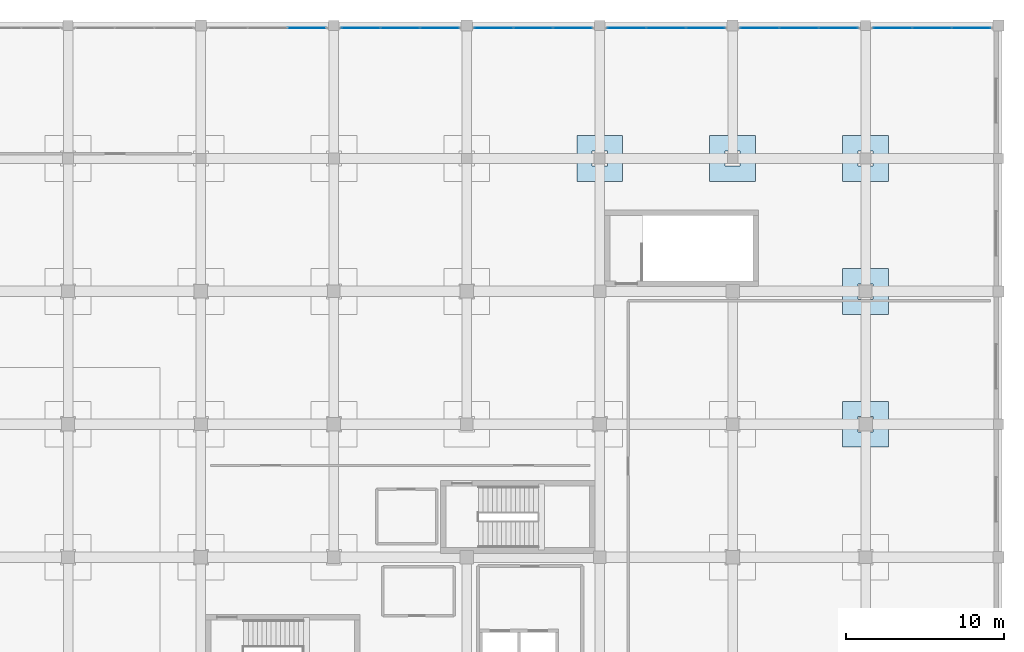
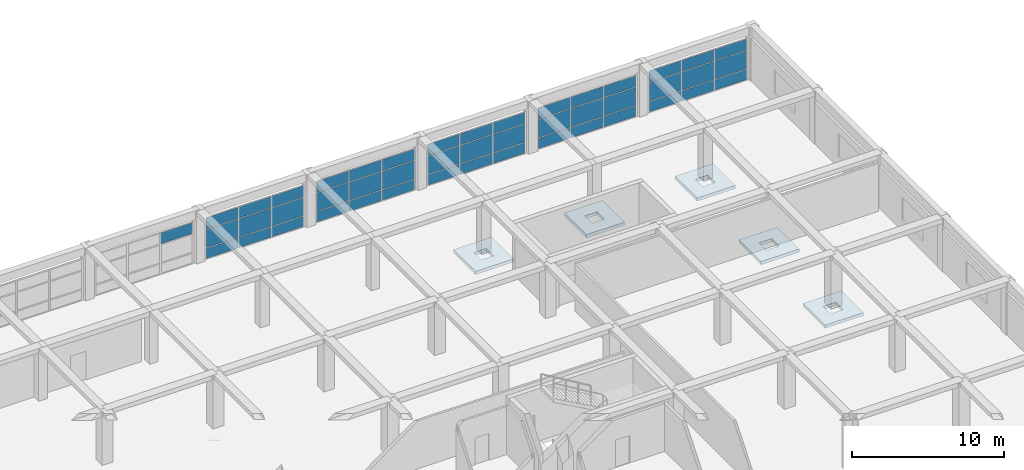
# One storey, part 72 of 85: 46 plates, 5 slabs, 6 elements without a shape of their own.
"""IFC4 building model written with IfcOpenShell, lengths in metres."""

from ifc_helpers import new_model, si_unit, direction, frame, origin, origin_2d, place, context, subcontext, project, spatial, polyline, rectangle, outline, extrude, material, layer, layer_set, type_object, element, aggregate, save


model = new_model("IFC4")

# Units and contexts
model_context = context("Model", 3, precision=1e-05, world=origin(), true_north=direction((0.0, 1.0)))
body_context = subcontext(model_context, "Body", "Model", "MODEL_VIEW")
ifc_project = project(units=[si_unit("LENGTHUNIT", "METRE"), si_unit("AREAUNIT", "SQUARE_METRE"), si_unit("VOLUMEUNIT", "CUBIC_METRE"), si_unit("PLANEANGLEUNIT", "RADIAN"), si_unit("MASSUNIT", "GRAM", prefix="KILO")], contexts=[model_context])

# Site, building, storey
site_placement = place(None, origin())
site = spatial("IfcSite", under=ifc_project, at=site_placement, CompositionType="ELEMENT")
building_placement = place(site_placement, origin())
building = spatial("IfcBuilding", under=site, at=building_placement, Name="Almacenes y Pasaje Nevantli", CompositionType="ELEMENT")
storey_placement = place(building_placement, frame((0.0, 0.0, 22.199951171875)))
storey = spatial("IfcBuildingStorey", under=building, at=storey_placement, Name="L05", CompositionType="ELEMENT", Elevation=22.199951171875)

# Curtain wall, plate
ifc_material_1 = material(Name="Thermally Broken Aluminium and Low-E Glass", Category="aluminium")
curtain_wall_type = type_object("IfcCurtainWallType", Name="CW-UNIT-PODIUM", PredefinedType="USERDEFINED", material=ifc_material_1)
curtain_wall_1_placement = place(storey_placement, origin())
curtain_wall_1 = element("IfcCurtainWall", 1, at=curtain_wall_1_placement, inside=storey, type_object=curtain_wall_type, Name="L05 Sky-Lobby North Curtain Wall Bay 15", ObjectType="UNITIZED CURTAIN WALL", PredefinedType="USERDEFINED")
ifc_material_2 = material(Name="Low-E Double Glazed Insulated Unit", Category="glass")
ifc_layer_1 = layer(ifc_material_2, 0.031982421875)
ifc_layer_set_1 = layer_set([ifc_layer_1], Name="Low-E Double Glazed Insulated Unit")
plate_type = type_object("IfcPlateType", Name="PL-IGU-32", PredefinedType="CURTAIN_PANEL", material=ifc_layer_set_1)
plate_1_placement = place(storey_placement, frame((124.2861328125, 117.449951171875, 2.427734375), z_axis=(0.0, 0.0, 1.0), x_axis=(1.0, 0.0, 0.0)))
plate_1 = element("IfcPlate", 2, at=plate_1_placement, type_object=plate_type, Name="CW-L05-086 panel 3.3", PredefinedType="CURTAIN_PANEL", context=body_context, shape_type="SweptSolid", body=[
    extrude(rectangle(XDim=2.41748046875, YDim=0.031982421875, at=origin_2d()), origin(), (0.0, 0.0, 1.0), 0.887451171875),
])
aggregate(curtain_wall_1, [plate_1])

# Curtain wall, plates
curtain_wall_2_placement = place(storey_placement, origin())
curtain_wall_2 = element("IfcCurtainWall", 3, at=curtain_wall_2_placement, inside=storey, type_object=curtain_wall_type, Name="L05 Sky-Lobby North Curtain Wall Bay 16", ObjectType="UNITIZED CURTAIN WALL", PredefinedType="USERDEFINED")
plate_2_placement = place(storey_placement, frame((127.7138671875, 117.449951171875, 0.05517578125), z_axis=(0.0, 0.0, 1.0), x_axis=(1.0, 0.0, 0.0)))
plate_2 = element("IfcPlate", 4, at=plate_2_placement, type_object=plate_type, Name="CW-L05-088 panel 1.1", PredefinedType="CURTAIN_PANEL", context=body_context, shape_type="SweptSolid", body=[
    extrude(rectangle(XDim=2.41748046875, YDim=0.031982421875, at=origin_2d()), origin(), (0.0, 0.0, 1.0), 0.8173828125),
])
plate_3_placement = place(storey_placement, frame((127.7138671875, 117.449951171875, 0.927734375), z_axis=(0.0, 0.0, 1.0), x_axis=(1.0, 0.0, 0.0)))
plate_3 = element("IfcPlate", 5, at=plate_3_placement, type_object=plate_type, Name="CW-L05-088 panel 1.2", PredefinedType="CURTAIN_PANEL", context=body_context, shape_type="SweptSolid", body=[
    extrude(rectangle(XDim=2.41748046875, YDim=0.031982421875, at=origin_2d()), origin(), (0.0, 0.0, 1.0), 1.445068359375),
])
plate_4_placement = place(storey_placement, frame((127.7138671875, 117.449951171875, 2.427734375), z_axis=(0.0, 0.0, 1.0), x_axis=(1.0, 0.0, 0.0)))
plate_4 = element("IfcPlate", 6, at=plate_4_placement, type_object=plate_type, Name="CW-L05-088 panel 1.3", PredefinedType="CURTAIN_PANEL", context=body_context, shape_type="SweptSolid", body=[
    extrude(rectangle(XDim=2.41748046875, YDim=0.031982421875, at=origin_2d()), origin(), (0.0, 0.0, 1.0), 0.887451171875),
])
plate_5_placement = place(storey_placement, frame((130.199951171875, 117.449951171875, 0.05517578125), z_axis=(0.0, 0.0, 1.0), x_axis=(1.0, 0.0, 0.0)))
plate_5 = element("IfcPlate", 7, at=plate_5_placement, type_object=plate_type, Name="CW-L05-088 panel 2.1", PredefinedType="CURTAIN_PANEL", context=body_context, shape_type="SweptSolid", body=[
    extrude(rectangle(XDim=2.445068359375, YDim=0.031982421875, at=origin_2d()), origin(), (0.0, 0.0, 1.0), 0.8173828125),
])
plate_6_placement = place(storey_placement, frame((130.199951171875, 117.449951171875, 0.927734375), z_axis=(0.0, 0.0, 1.0), x_axis=(1.0, 0.0, 0.0)))
plate_6 = element("IfcPlate", 8, at=plate_6_placement, type_object=plate_type, Name="CW-L05-088 panel 2.2", PredefinedType="CURTAIN_PANEL", context=body_context, shape_type="SweptSolid", body=[
    extrude(rectangle(XDim=2.445068359375, YDim=0.031982421875, at=origin_2d()), origin(), (0.0, 0.0, 1.0), 1.445068359375),
])
plate_7_placement = place(storey_placement, frame((130.199951171875, 117.449951171875, 2.427734375), z_axis=(0.0, 0.0, 1.0), x_axis=(1.0, 0.0, 0.0)))
plate_7 = element("IfcPlate", 9, at=plate_7_placement, type_object=plate_type, Name="CW-L05-088 panel 2.3", PredefinedType="CURTAIN_PANEL", context=body_context, shape_type="SweptSolid", body=[
    extrude(rectangle(XDim=2.445068359375, YDim=0.031982421875, at=origin_2d()), origin(), (0.0, 0.0, 1.0), 0.887451171875),
])
plate_8_placement = place(storey_placement, frame((132.686279296875, 117.449951171875, 0.05517578125), z_axis=(0.0, 0.0, 1.0), x_axis=(1.0, 0.0, 0.0)))
plate_8 = element("IfcPlate", 10, at=plate_8_placement, type_object=plate_type, Name="CW-L05-088 panel 3.1", PredefinedType="CURTAIN_PANEL", context=body_context, shape_type="SweptSolid", body=[
    extrude(rectangle(XDim=2.41748046875, YDim=0.031982421875, at=origin_2d()), origin(), (0.0, 0.0, 1.0), 0.8173828125),
])
plate_9_placement = place(storey_placement, frame((132.686279296875, 117.449951171875, 0.927734375), z_axis=(0.0, 0.0, 1.0), x_axis=(1.0, 0.0, 0.0)))
plate_9 = element("IfcPlate", 11, at=plate_9_placement, type_object=plate_type, Name="CW-L05-088 panel 3.2", PredefinedType="CURTAIN_PANEL", context=body_context, shape_type="SweptSolid", body=[
    extrude(rectangle(XDim=2.41748046875, YDim=0.031982421875, at=origin_2d()), origin(), (0.0, 0.0, 1.0), 1.445068359375),
])
plate_10_placement = place(storey_placement, frame((132.686279296875, 117.449951171875, 2.427734375), z_axis=(0.0, 0.0, 1.0), x_axis=(1.0, 0.0, 0.0)))
plate_10 = element("IfcPlate", 12, at=plate_10_placement, type_object=plate_type, Name="CW-L05-088 panel 3.3", PredefinedType="CURTAIN_PANEL", context=body_context, shape_type="SweptSolid", body=[
    extrude(rectangle(XDim=2.41748046875, YDim=0.031982421875, at=origin_2d()), origin(), (0.0, 0.0, 1.0), 0.887451171875),
])
aggregate(curtain_wall_2, [plate_2, plate_3, plate_4, plate_5, plate_6, plate_7, plate_8, plate_9, plate_10])

curtain_wall_3_placement = place(storey_placement, origin())
curtain_wall_3 = element("IfcCurtainWall", 13, at=curtain_wall_3_placement, inside=storey, type_object=curtain_wall_type, Name="L05 Sky-Lobby North Curtain Wall Bay 17", ObjectType="UNITIZED CURTAIN WALL", PredefinedType="USERDEFINED")
plate_11_placement = place(storey_placement, frame((136.11376953125, 117.449951171875, 0.05517578125), z_axis=(0.0, 0.0, 1.0), x_axis=(1.0, 0.0, 0.0)))
plate_11 = element("IfcPlate", 14, at=plate_11_placement, type_object=plate_type, Name="CW-L05-090 panel 1.1", PredefinedType="CURTAIN_PANEL", context=body_context, shape_type="SweptSolid", body=[
    extrude(rectangle(XDim=2.41748046875, YDim=0.031982421875, at=origin_2d()), origin(), (0.0, 0.0, 1.0), 0.8173828125),
])
plate_12_placement = place(storey_placement, frame((136.11376953125, 117.449951171875, 0.927734375), z_axis=(0.0, 0.0, 1.0), x_axis=(1.0, 0.0, 0.0)))
plate_12 = element("IfcPlate", 15, at=plate_12_placement, type_object=plate_type, Name="CW-L05-090 panel 1.2", PredefinedType="CURTAIN_PANEL", context=body_context, shape_type="SweptSolid", body=[
    extrude(rectangle(XDim=2.41748046875, YDim=0.031982421875, at=origin_2d()), origin(), (0.0, 0.0, 1.0), 1.445068359375),
])
plate_13_placement = place(storey_placement, frame((136.11376953125, 117.449951171875, 2.427734375), z_axis=(0.0, 0.0, 1.0), x_axis=(1.0, 0.0, 0.0)))
plate_13 = element("IfcPlate", 16, at=plate_13_placement, type_object=plate_type, Name="CW-L05-090 panel 1.3", PredefinedType="CURTAIN_PANEL", context=body_context, shape_type="SweptSolid", body=[
    extrude(rectangle(XDim=2.41748046875, YDim=0.031982421875, at=origin_2d()), origin(), (0.0, 0.0, 1.0), 0.887451171875),
])
plate_14_placement = place(storey_placement, frame((138.60009765625, 117.449951171875, 0.05517578125), z_axis=(0.0, 0.0, 1.0), x_axis=(1.0, 0.0, 0.0)))
plate_14 = element("IfcPlate", 17, at=plate_14_placement, type_object=plate_type, Name="CW-L05-090 panel 2.1", PredefinedType="CURTAIN_PANEL", context=body_context, shape_type="SweptSolid", body=[
    extrude(rectangle(XDim=2.445068359375, YDim=0.031982421875, at=origin_2d()), origin(), (0.0, 0.0, 1.0), 0.8173828125),
])
plate_15_placement = place(storey_placement, frame((138.60009765625, 117.449951171875, 0.927734375), z_axis=(0.0, 0.0, 1.0), x_axis=(1.0, 0.0, 0.0)))
plate_15 = element("IfcPlate", 18, at=plate_15_placement, type_object=plate_type, Name="CW-L05-090 panel 2.2", PredefinedType="CURTAIN_PANEL", context=body_context, shape_type="SweptSolid", body=[
    extrude(rectangle(XDim=2.445068359375, YDim=0.031982421875, at=origin_2d()), origin(), (0.0, 0.0, 1.0), 1.445068359375),
])
plate_16_placement = place(storey_placement, frame((138.60009765625, 117.449951171875, 2.427734375), z_axis=(0.0, 0.0, 1.0), x_axis=(1.0, 0.0, 0.0)))
plate_16 = element("IfcPlate", 19, at=plate_16_placement, type_object=plate_type, Name="CW-L05-090 panel 2.3", PredefinedType="CURTAIN_PANEL", context=body_context, shape_type="SweptSolid", body=[
    extrude(rectangle(XDim=2.445068359375, YDim=0.031982421875, at=origin_2d()), origin(), (0.0, 0.0, 1.0), 0.887451171875),
])
plate_17_placement = place(storey_placement, frame((141.086181640625, 117.449951171875, 0.05517578125), z_axis=(0.0, 0.0, 1.0), x_axis=(1.0, 0.0, 0.0)))
plate_17 = element("IfcPlate", 20, at=plate_17_placement, type_object=plate_type, Name="CW-L05-090 panel 3.1", PredefinedType="CURTAIN_PANEL", context=body_context, shape_type="SweptSolid", body=[
    extrude(rectangle(XDim=2.41748046875, YDim=0.031982421875, at=origin_2d()), origin(), (0.0, 0.0, 1.0), 0.8173828125),
])
plate_18_placement = place(storey_placement, frame((141.086181640625, 117.449951171875, 0.927734375), z_axis=(0.0, 0.0, 1.0), x_axis=(1.0, 0.0, 0.0)))
plate_18 = element("IfcPlate", 21, at=plate_18_placement, type_object=plate_type, Name="CW-L05-090 panel 3.2", PredefinedType="CURTAIN_PANEL", context=body_context, shape_type="SweptSolid", body=[
    extrude(rectangle(XDim=2.41748046875, YDim=0.031982421875, at=origin_2d()), origin(), (0.0, 0.0, 1.0), 1.445068359375),
])
plate_19_placement = place(storey_placement, frame((141.086181640625, 117.449951171875, 2.427734375), z_axis=(0.0, 0.0, 1.0), x_axis=(1.0, 0.0, 0.0)))
plate_19 = element("IfcPlate", 22, at=plate_19_placement, type_object=plate_type, Name="CW-L05-090 panel 3.3", PredefinedType="CURTAIN_PANEL", context=body_context, shape_type="SweptSolid", body=[
    extrude(rectangle(XDim=2.41748046875, YDim=0.031982421875, at=origin_2d()), origin(), (0.0, 0.0, 1.0), 0.887451171875),
])
aggregate(curtain_wall_3, [plate_11, plate_12, plate_13, plate_14, plate_15, plate_16, plate_17, plate_18, plate_19])

curtain_wall_4_placement = place(storey_placement, origin())
curtain_wall_4 = element("IfcCurtainWall", 23, at=curtain_wall_4_placement, inside=storey, type_object=curtain_wall_type, Name="L05 Sky-Lobby North Curtain Wall Bay 18", ObjectType="UNITIZED CURTAIN WALL", PredefinedType="USERDEFINED")
plate_20_placement = place(storey_placement, frame((144.513671875, 117.449951171875, 0.05517578125), z_axis=(0.0, 0.0, 1.0), x_axis=(1.0, 0.0, 0.0)))
plate_20 = element("IfcPlate", 24, at=plate_20_placement, type_object=plate_type, Name="CW-L05-091 panel 1.1", PredefinedType="CURTAIN_PANEL", context=body_context, shape_type="SweptSolid", body=[
    extrude(rectangle(XDim=2.41748046875, YDim=0.031982421875, at=origin_2d()), origin(), (0.0, 0.0, 1.0), 0.8173828125),
])
plate_21_placement = place(storey_placement, frame((144.513671875, 117.449951171875, 0.927734375), z_axis=(0.0, 0.0, 1.0), x_axis=(1.0, 0.0, 0.0)))
plate_21 = element("IfcPlate", 25, at=plate_21_placement, type_object=plate_type, Name="CW-L05-091 panel 1.2", PredefinedType="CURTAIN_PANEL", context=body_context, shape_type="SweptSolid", body=[
    extrude(rectangle(XDim=2.41748046875, YDim=0.031982421875, at=origin_2d()), origin(), (0.0, 0.0, 1.0), 1.445068359375),
])
plate_22_placement = place(storey_placement, frame((144.513671875, 117.449951171875, 2.427734375), z_axis=(0.0, 0.0, 1.0), x_axis=(1.0, 0.0, 0.0)))
plate_22 = element("IfcPlate", 26, at=plate_22_placement, type_object=plate_type, Name="CW-L05-091 panel 1.3", PredefinedType="CURTAIN_PANEL", context=body_context, shape_type="SweptSolid", body=[
    extrude(rectangle(XDim=2.41748046875, YDim=0.031982421875, at=origin_2d()), origin(), (0.0, 0.0, 1.0), 0.887451171875),
])
plate_23_placement = place(storey_placement, frame((147.0, 117.449951171875, 0.05517578125), z_axis=(0.0, 0.0, 1.0), x_axis=(1.0, 0.0, 0.0)))
plate_23 = element("IfcPlate", 27, at=plate_23_placement, type_object=plate_type, Name="CW-L05-091 panel 2.1", PredefinedType="CURTAIN_PANEL", context=body_context, shape_type="SweptSolid", body=[
    extrude(rectangle(XDim=2.445068359375, YDim=0.031982421875, at=origin_2d()), origin(), (0.0, 0.0, 1.0), 0.8173828125),
])
plate_24_placement = place(storey_placement, frame((147.0, 117.449951171875, 0.927734375), z_axis=(0.0, 0.0, 1.0), x_axis=(1.0, 0.0, 0.0)))
plate_24 = element("IfcPlate", 28, at=plate_24_placement, type_object=plate_type, Name="CW-L05-091 panel 2.2", PredefinedType="CURTAIN_PANEL", context=body_context, shape_type="SweptSolid", body=[
    extrude(rectangle(XDim=2.445068359375, YDim=0.031982421875, at=origin_2d()), origin(), (0.0, 0.0, 1.0), 1.445068359375),
])
plate_25_placement = place(storey_placement, frame((147.0, 117.449951171875, 2.427734375), z_axis=(0.0, 0.0, 1.0), x_axis=(1.0, 0.0, 0.0)))
plate_25 = element("IfcPlate", 29, at=plate_25_placement, type_object=plate_type, Name="CW-L05-091 panel 2.3", PredefinedType="CURTAIN_PANEL", context=body_context, shape_type="SweptSolid", body=[
    extrude(rectangle(XDim=2.445068359375, YDim=0.031982421875, at=origin_2d()), origin(), (0.0, 0.0, 1.0), 0.887451171875),
])
plate_26_placement = place(storey_placement, frame((149.486328125, 117.449951171875, 0.05517578125), z_axis=(0.0, 0.0, 1.0), x_axis=(1.0, 0.0, 0.0)))
plate_26 = element("IfcPlate", 30, at=plate_26_placement, type_object=plate_type, Name="CW-L05-091 panel 3.1", PredefinedType="CURTAIN_PANEL", context=body_context, shape_type="SweptSolid", body=[
    extrude(rectangle(XDim=2.41748046875, YDim=0.031982421875, at=origin_2d()), origin(), (0.0, 0.0, 1.0), 0.8173828125),
])
plate_27_placement = place(storey_placement, frame((149.486328125, 117.449951171875, 0.927734375), z_axis=(0.0, 0.0, 1.0), x_axis=(1.0, 0.0, 0.0)))
plate_27 = element("IfcPlate", 31, at=plate_27_placement, type_object=plate_type, Name="CW-L05-091 panel 3.2", PredefinedType="CURTAIN_PANEL", context=body_context, shape_type="SweptSolid", body=[
    extrude(rectangle(XDim=2.41748046875, YDim=0.031982421875, at=origin_2d()), origin(), (0.0, 0.0, 1.0), 1.445068359375),
])
plate_28_placement = place(storey_placement, frame((149.486328125, 117.449951171875, 2.427734375), z_axis=(0.0, 0.0, 1.0), x_axis=(1.0, 0.0, 0.0)))
plate_28 = element("IfcPlate", 32, at=plate_28_placement, type_object=plate_type, Name="CW-L05-091 panel 3.3", PredefinedType="CURTAIN_PANEL", context=body_context, shape_type="SweptSolid", body=[
    extrude(rectangle(XDim=2.41748046875, YDim=0.031982421875, at=origin_2d()), origin(), (0.0, 0.0, 1.0), 0.887451171875),
])
aggregate(curtain_wall_4, [plate_20, plate_21, plate_22, plate_23, plate_24, plate_25, plate_26, plate_27, plate_28])

curtain_wall_5_placement = place(storey_placement, origin())
curtain_wall_5 = element("IfcCurtainWall", 33, at=curtain_wall_5_placement, inside=storey, type_object=curtain_wall_type, Name="L05 Sky-Lobby North Curtain Wall Bay 19", ObjectType="UNITIZED CURTAIN WALL", PredefinedType="USERDEFINED")
plate_29_placement = place(storey_placement, frame((152.913818359375, 117.449951171875, 0.05517578125), z_axis=(0.0, 0.0, 1.0), x_axis=(1.0, 0.0, 0.0)))
plate_29 = element("IfcPlate", 34, at=plate_29_placement, type_object=plate_type, Name="CW-L05-092 panel 1.1", PredefinedType="CURTAIN_PANEL", context=body_context, shape_type="SweptSolid", body=[
    extrude(rectangle(XDim=2.41748046875, YDim=0.031982421875, at=origin_2d()), origin(), (0.0, 0.0, 1.0), 0.8173828125),
])
plate_30_placement = place(storey_placement, frame((152.913818359375, 117.449951171875, 0.927734375), z_axis=(0.0, 0.0, 1.0), x_axis=(1.0, 0.0, 0.0)))
plate_30 = element("IfcPlate", 35, at=plate_30_placement, type_object=plate_type, Name="CW-L05-092 panel 1.2", PredefinedType="CURTAIN_PANEL", context=body_context, shape_type="SweptSolid", body=[
    extrude(rectangle(XDim=2.41748046875, YDim=0.031982421875, at=origin_2d()), origin(), (0.0, 0.0, 1.0), 1.445068359375),
])
plate_31_placement = place(storey_placement, frame((152.913818359375, 117.449951171875, 2.427734375), z_axis=(0.0, 0.0, 1.0), x_axis=(1.0, 0.0, 0.0)))
plate_31 = element("IfcPlate", 36, at=plate_31_placement, type_object=plate_type, Name="CW-L05-092 panel 1.3", PredefinedType="CURTAIN_PANEL", context=body_context, shape_type="SweptSolid", body=[
    extrude(rectangle(XDim=2.41748046875, YDim=0.031982421875, at=origin_2d()), origin(), (0.0, 0.0, 1.0), 0.887451171875),
])
plate_32_placement = place(storey_placement, frame((155.39990234375, 117.449951171875, 0.05517578125), z_axis=(0.0, 0.0, 1.0), x_axis=(1.0, 0.0, 0.0)))
plate_32 = element("IfcPlate", 37, at=plate_32_placement, type_object=plate_type, Name="CW-L05-092 panel 2.1", PredefinedType="CURTAIN_PANEL", context=body_context, shape_type="SweptSolid", body=[
    extrude(rectangle(XDim=2.445068359375, YDim=0.031982421875, at=origin_2d()), origin(), (0.0, 0.0, 1.0), 0.8173828125),
])
plate_33_placement = place(storey_placement, frame((155.39990234375, 117.449951171875, 0.927734375), z_axis=(0.0, 0.0, 1.0), x_axis=(1.0, 0.0, 0.0)))
plate_33 = element("IfcPlate", 38, at=plate_33_placement, type_object=plate_type, Name="CW-L05-092 panel 2.2", PredefinedType="CURTAIN_PANEL", context=body_context, shape_type="SweptSolid", body=[
    extrude(rectangle(XDim=2.445068359375, YDim=0.031982421875, at=origin_2d()), origin(), (0.0, 0.0, 1.0), 1.445068359375),
])
plate_34_placement = place(storey_placement, frame((155.39990234375, 117.449951171875, 2.427734375), z_axis=(0.0, 0.0, 1.0), x_axis=(1.0, 0.0, 0.0)))
plate_34 = element("IfcPlate", 39, at=plate_34_placement, type_object=plate_type, Name="CW-L05-092 panel 2.3", PredefinedType="CURTAIN_PANEL", context=body_context, shape_type="SweptSolid", body=[
    extrude(rectangle(XDim=2.445068359375, YDim=0.031982421875, at=origin_2d()), origin(), (0.0, 0.0, 1.0), 0.887451171875),
])
plate_35_placement = place(storey_placement, frame((157.88623046875, 117.449951171875, 0.05517578125), z_axis=(0.0, 0.0, 1.0), x_axis=(1.0, 0.0, 0.0)))
plate_35 = element("IfcPlate", 40, at=plate_35_placement, type_object=plate_type, Name="CW-L05-092 panel 3.1", PredefinedType="CURTAIN_PANEL", context=body_context, shape_type="SweptSolid", body=[
    extrude(rectangle(XDim=2.41748046875, YDim=0.031982421875, at=origin_2d()), origin(), (0.0, 0.0, 1.0), 0.8173828125),
])
plate_36_placement = place(storey_placement, frame((157.88623046875, 117.449951171875, 0.927734375), z_axis=(0.0, 0.0, 1.0), x_axis=(1.0, 0.0, 0.0)))
plate_36 = element("IfcPlate", 41, at=plate_36_placement, type_object=plate_type, Name="CW-L05-092 panel 3.2", PredefinedType="CURTAIN_PANEL", context=body_context, shape_type="SweptSolid", body=[
    extrude(rectangle(XDim=2.41748046875, YDim=0.031982421875, at=origin_2d()), origin(), (0.0, 0.0, 1.0), 1.445068359375),
])
plate_37_placement = place(storey_placement, frame((157.88623046875, 117.449951171875, 2.427734375), z_axis=(0.0, 0.0, 1.0), x_axis=(1.0, 0.0, 0.0)))
plate_37 = element("IfcPlate", 42, at=plate_37_placement, type_object=plate_type, Name="CW-L05-092 panel 3.3", PredefinedType="CURTAIN_PANEL", context=body_context, shape_type="SweptSolid", body=[
    extrude(rectangle(XDim=2.41748046875, YDim=0.031982421875, at=origin_2d()), origin(), (0.0, 0.0, 1.0), 0.887451171875),
])
aggregate(curtain_wall_5, [plate_29, plate_30, plate_31, plate_32, plate_33, plate_34, plate_35, plate_36, plate_37])

curtain_wall_6_placement = place(storey_placement, origin())
curtain_wall_6 = element("IfcCurtainWall", 43, at=curtain_wall_6_placement, inside=storey, type_object=curtain_wall_type, Name="L05 Sky-Lobby North Curtain Wall Bay 20", ObjectType="UNITIZED CURTAIN WALL", PredefinedType="USERDEFINED")
plate_38_placement = place(storey_placement, frame((161.313720703125, 117.449951171875, 0.05517578125), z_axis=(0.0, 0.0, 1.0), x_axis=(1.0, 0.0, 0.0)))
plate_38 = element("IfcPlate", 44, at=plate_38_placement, type_object=plate_type, Name="CW-L05-094 panel 1.1", PredefinedType="CURTAIN_PANEL", context=body_context, shape_type="SweptSolid", body=[
    extrude(rectangle(XDim=2.41748046875, YDim=0.031982421875, at=origin_2d()), origin(), (0.0, 0.0, 1.0), 0.8173828125),
])
plate_39_placement = place(storey_placement, frame((161.313720703125, 117.449951171875, 0.927734375), z_axis=(0.0, 0.0, 1.0), x_axis=(1.0, 0.0, 0.0)))
plate_39 = element("IfcPlate", 45, at=plate_39_placement, type_object=plate_type, Name="CW-L05-094 panel 1.2", PredefinedType="CURTAIN_PANEL", context=body_context, shape_type="SweptSolid", body=[
    extrude(rectangle(XDim=2.41748046875, YDim=0.031982421875, at=origin_2d()), origin(), (0.0, 0.0, 1.0), 1.445068359375),
])
plate_40_placement = place(storey_placement, frame((161.313720703125, 117.449951171875, 2.427734375), z_axis=(0.0, 0.0, 1.0), x_axis=(1.0, 0.0, 0.0)))
plate_40 = element("IfcPlate", 46, at=plate_40_placement, type_object=plate_type, Name="CW-L05-094 panel 1.3", PredefinedType="CURTAIN_PANEL", context=body_context, shape_type="SweptSolid", body=[
    extrude(rectangle(XDim=2.41748046875, YDim=0.031982421875, at=origin_2d()), origin(), (0.0, 0.0, 1.0), 0.887451171875),
])
plate_41_placement = place(storey_placement, frame((163.800048828125, 117.449951171875, 0.05517578125), z_axis=(0.0, 0.0, 1.0), x_axis=(1.0, 0.0, 0.0)))
plate_41 = element("IfcPlate", 47, at=plate_41_placement, type_object=plate_type, Name="CW-L05-094 panel 2.1", PredefinedType="CURTAIN_PANEL", context=body_context, shape_type="SweptSolid", body=[
    extrude(rectangle(XDim=2.445068359375, YDim=0.031982421875, at=origin_2d()), origin(), (0.0, 0.0, 1.0), 0.8173828125),
])
plate_42_placement = place(storey_placement, frame((163.800048828125, 117.449951171875, 0.927734375), z_axis=(0.0, 0.0, 1.0), x_axis=(1.0, 0.0, 0.0)))
plate_42 = element("IfcPlate", 48, at=plate_42_placement, type_object=plate_type, Name="CW-L05-094 panel 2.2", PredefinedType="CURTAIN_PANEL", context=body_context, shape_type="SweptSolid", body=[
    extrude(rectangle(XDim=2.445068359375, YDim=0.031982421875, at=origin_2d()), origin(), (0.0, 0.0, 1.0), 1.445068359375),
])
plate_43_placement = place(storey_placement, frame((163.800048828125, 117.449951171875, 2.427734375), z_axis=(0.0, 0.0, 1.0), x_axis=(1.0, 0.0, 0.0)))
plate_43 = element("IfcPlate", 49, at=plate_43_placement, type_object=plate_type, Name="CW-L05-094 panel 2.3", PredefinedType="CURTAIN_PANEL", context=body_context, shape_type="SweptSolid", body=[
    extrude(rectangle(XDim=2.445068359375, YDim=0.031982421875, at=origin_2d()), origin(), (0.0, 0.0, 1.0), 0.887451171875),
])
plate_44_placement = place(storey_placement, frame((166.2861328125, 117.449951171875, 0.05517578125), z_axis=(0.0, 0.0, 1.0), x_axis=(1.0, 0.0, 0.0)))
plate_44 = element("IfcPlate", 50, at=plate_44_placement, type_object=plate_type, Name="CW-L05-094 panel 3.1", PredefinedType="CURTAIN_PANEL", context=body_context, shape_type="SweptSolid", body=[
    extrude(rectangle(XDim=2.41748046875, YDim=0.031982421875, at=origin_2d()), origin(), (0.0, 0.0, 1.0), 0.8173828125),
])
plate_45_placement = place(storey_placement, frame((166.2861328125, 117.449951171875, 0.927734375), z_axis=(0.0, 0.0, 1.0), x_axis=(1.0, 0.0, 0.0)))
plate_45 = element("IfcPlate", 51, at=plate_45_placement, type_object=plate_type, Name="CW-L05-094 panel 3.2", PredefinedType="CURTAIN_PANEL", context=body_context, shape_type="SweptSolid", body=[
    extrude(rectangle(XDim=2.41748046875, YDim=0.031982421875, at=origin_2d()), origin(), (0.0, 0.0, 1.0), 1.445068359375),
])
plate_46_placement = place(storey_placement, frame((166.2861328125, 117.449951171875, 2.427734375), z_axis=(0.0, 0.0, 1.0), x_axis=(1.0, 0.0, 0.0)))
plate_46 = element("IfcPlate", 52, at=plate_46_placement, type_object=plate_type, Name="CW-L05-094 panel 3.3", PredefinedType="CURTAIN_PANEL", context=body_context, shape_type="SweptSolid", body=[
    extrude(rectangle(XDim=2.41748046875, YDim=0.031982421875, at=origin_2d()), origin(), (0.0, 0.0, 1.0), 0.887451171875),
])
aggregate(curtain_wall_6, [plate_38, plate_39, plate_40, plate_41, plate_42, plate_43, plate_44, plate_45, plate_46])

# Slabs
ifc_material_3 = material(Name="Concrete C35/45", Category="concrete")
ifc_layer_2 = layer(ifc_material_3, 0.25)
ifc_layer_set_2 = layer_set([ifc_layer_2], Name="Concrete C35/45")
slab_type = type_object("IfcSlabType", Name="SLB-DP-250", PredefinedType="USERDEFINED", material=ifc_layer_set_2)
slab_1_placement = place(storey_placement, frame((0.0, 0.0, -0.550048828125)))
element("IfcSlab", 53, at=slab_1_placement, inside=storey, type_object=slab_type, Name="L05 Punching-Shear Drop Panel DP-02 #1079", ObjectType="DROP PANEL", PredefinedType="USERDEFINED", context=body_context, shape_type="SweptSolid", body=[
    extrude(outline(polyline([(141.35009765625, 107.75), (144.25, 107.75), (144.25, 110.64990234375), (141.35009765625, 110.64990234375), (141.35009765625, 107.75)]), holes=[polyline([(142.320068359375, 108.719970703125), (143.280029296875, 108.719970703125), (143.280029296875, 109.679931640625), (142.320068359375, 109.679931640625), (142.320068359375, 108.719970703125)])]), origin(), (0.0, 0.0, 1.0), 0.25),
])
slab_2_placement = place(storey_placement, frame((0.0, 0.0, -0.550048828125)))
element("IfcSlab", 54, at=slab_2_placement, inside=storey, type_object=slab_type, Name="L05 Punching-Shear Drop Panel DP-02 #1088", ObjectType="DROP PANEL", PredefinedType="USERDEFINED", context=body_context, shape_type="SweptSolid", body=[
    extrude(outline(polyline([(149.75, 107.75), (152.64990234375, 107.75), (152.64990234375, 110.64990234375), (149.75, 110.64990234375), (149.75, 107.75)]), holes=[polyline([(150.719970703125, 108.719970703125), (151.679931640625, 108.719970703125), (151.679931640625, 109.679931640625), (150.719970703125, 109.679931640625), (150.719970703125, 108.719970703125)])]), origin(), (0.0, 0.0, 1.0), 0.25),
])
slab_3_placement = place(storey_placement, frame((0.0, 0.0, -0.550048828125)))
element("IfcSlab", 55, at=slab_3_placement, inside=storey, type_object=slab_type, Name="L05 Punching-Shear Drop Panel DP-02 #1096", ObjectType="DROP PANEL", PredefinedType="USERDEFINED", context=body_context, shape_type="SweptSolid", body=[
    extrude(outline(polyline([(158.14990234375, 90.949951171875), (161.050048828125, 90.949951171875), (161.050048828125, 93.85009765625), (158.14990234375, 93.85009765625), (158.14990234375, 90.949951171875)]), holes=[polyline([(159.1201171875, 91.919921875), (160.080078125, 91.919921875), (160.080078125, 92.8798828125), (159.1201171875, 92.8798828125), (159.1201171875, 91.919921875)])]), origin(), (0.0, 0.0, 1.0), 0.25),
])
slab_4_placement = place(storey_placement, frame((0.0, 0.0, -0.550048828125)))
element("IfcSlab", 56, at=slab_4_placement, inside=storey, type_object=slab_type, Name="L05 Punching-Shear Drop Panel DP-02 #1097", ObjectType="DROP PANEL", PredefinedType="USERDEFINED", context=body_context, shape_type="SweptSolid", body=[
    extrude(outline(polyline([(158.14990234375, 99.35009765625), (161.050048828125, 99.35009765625), (161.050048828125, 102.25), (158.14990234375, 102.25), (158.14990234375, 99.35009765625)]), holes=[polyline([(159.1201171875, 100.320068359375), (160.080078125, 100.320068359375), (160.080078125, 101.280029296875), (159.1201171875, 101.280029296875), (159.1201171875, 100.320068359375)])]), origin(), (0.0, 0.0, 1.0), 0.25),
])
slab_5_placement = place(storey_placement, frame((0.0, 0.0, -0.550048828125)))
element("IfcSlab", 57, at=slab_5_placement, inside=storey, type_object=slab_type, Name="L05 Punching-Shear Drop Panel DP-02 #1098", ObjectType="DROP PANEL", PredefinedType="USERDEFINED", context=body_context, shape_type="SweptSolid", body=[
    extrude(outline(polyline([(158.14990234375, 107.75), (161.050048828125, 107.75), (161.050048828125, 110.64990234375), (158.14990234375, 110.64990234375), (158.14990234375, 107.75)]), holes=[polyline([(159.1201171875, 108.719970703125), (160.080078125, 108.719970703125), (160.080078125, 109.679931640625), (159.1201171875, 109.679931640625), (159.1201171875, 108.719970703125)])]), origin(), (0.0, 0.0, 1.0), 0.25),
])

save(model, "model.ifc")
